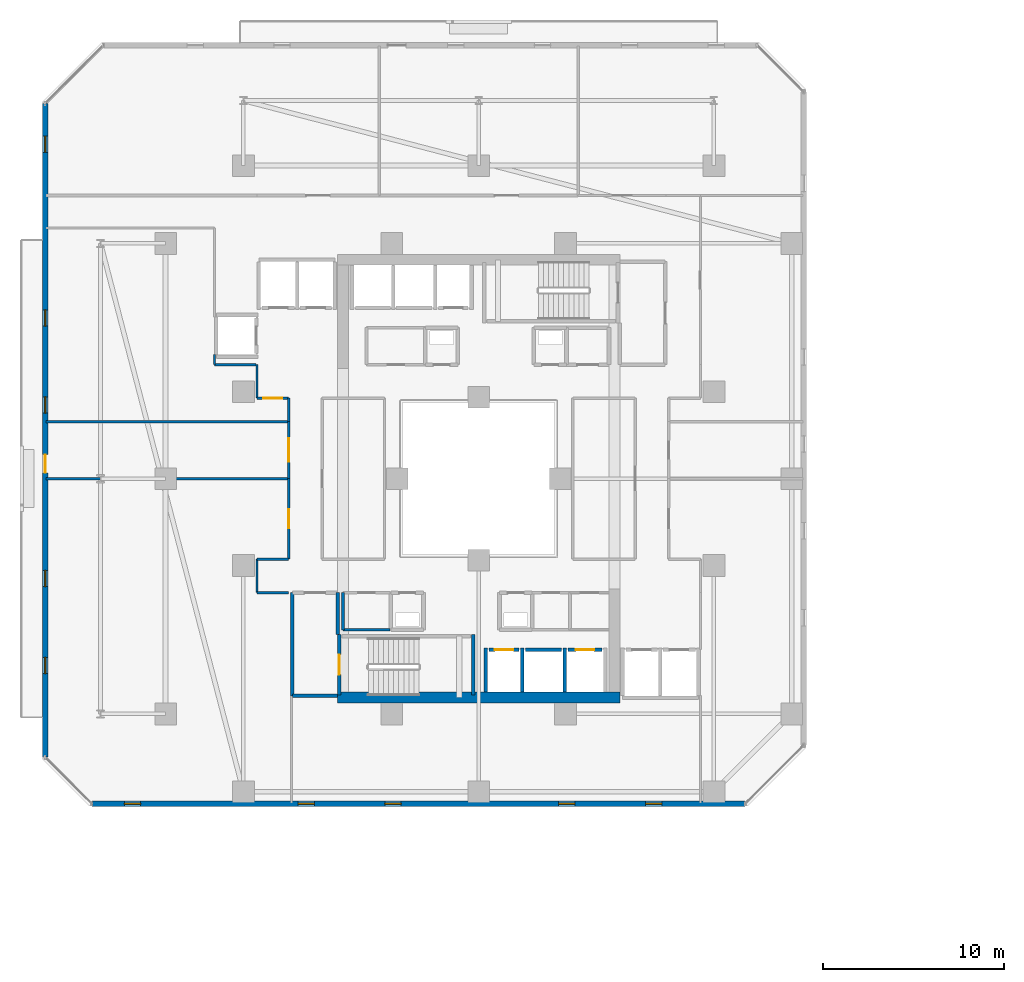
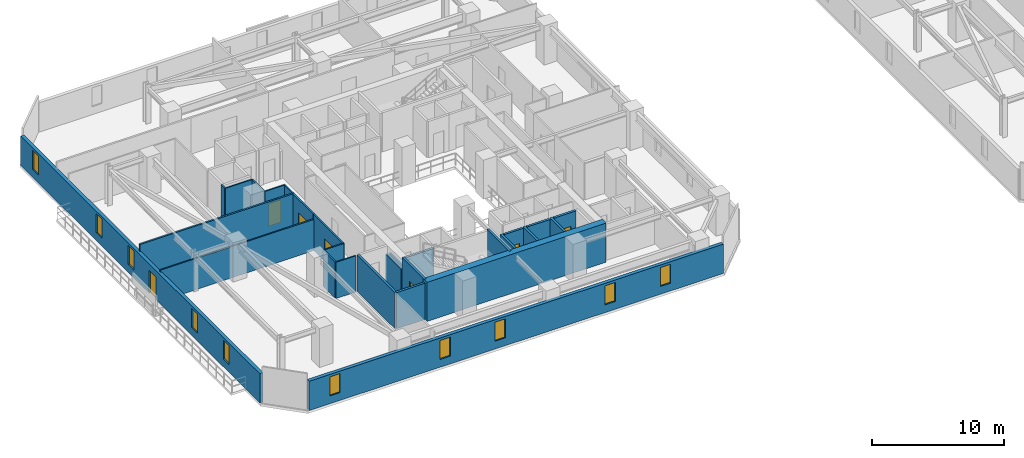
# One storey, part 19 of 33: 28 walls, 10 windows, 7 doors, 17 openings.
"""IFC4 building model written with IfcOpenShell, lengths in metres."""

import ifcopenshell
import ifcopenshell.guid

model = None  # the IFC model being written
_history = None  # IfcOwnerHistory: only IFC2X3 demands one
_inside = {}  # id of a spatial element -> (the spatial element, [elements in it])
_under = {}  # id of a project, library or spatial element -> (it, [spatial elements below it])
_declared = {}  # id of a project -> (the project, [libraries it declares])
_typed = {}  # id of a type object -> (the type object, [elements of that type])
_made_of = {}  # id of a material, layer set ... -> (it, [elements and type objects made of it])


def new_model(schema):
    """Start an empty IFC model of exactly this schema.

    Asked for "IFC4X3", IfcOpenShell would pick the latest addendum, in which some entities
    have other attributes; the version numbers below select the first issue.
    IFC2X3 requires an IfcOwnerHistory on every rooted entity: one is made here for all.
    """
    global model, _history
    if schema == "IFC4X3":
        model = ifcopenshell.file(schema_version=(4, 3, 0, 0))
    else:
        model = ifcopenshell.file(schema=schema)
    _inside.clear()
    _under.clear()
    _declared.clear()
    _typed.clear()
    _made_of.clear()
    _history = None
    if model.schema == "IFC2X3":
        org = make("IfcOrganization", Name="unknown")
        user = make(
            "IfcPersonAndOrganization",
            ThePerson=make("IfcPerson", FamilyName="unknown"),
            TheOrganization=org,
        )
        app = make(
            "IfcApplication",
            ApplicationDeveloper=org,
            Version="unknown",
            ApplicationFullName="unknown",
            ApplicationIdentifier="unknown",
        )
        _history = make(
            "IfcOwnerHistory",
            OwningUser=user,
            OwningApplication=app,
            ChangeAction="ADDED",
            CreationDate=0,
        )
    return model


def make(cls, **values):
    """One entity of the class cls with the attributes given. An attribute that is None is left unset."""
    return model.create_entity(
        cls, **{name: value for name, value in values.items() if value is not None}
    )


def rooted(cls, **values):
    """An entity with a GlobalId (a new one), such as an element, a storey or a relation."""
    return make(cls, GlobalId=ifcopenshell.guid.new(), OwnerHistory=_history, **values)


def si_unit(unit_type, name, prefix=None):
    """IfcSIUnit, for example si_unit("LENGTHUNIT", "METRE", prefix="MILLI")."""
    return make("IfcSIUnit", UnitType=unit_type, Prefix=prefix, Name=name)


def assignment(units):
    """IfcUnitAssignment: the units of a project."""
    return None if units is None else make("IfcUnitAssignment", Units=units)


def point(xyz):
    """IfcCartesianPoint."""
    return None if xyz is None else make("IfcCartesianPoint", Coordinates=xyz)


def direction(xyz):
    """IfcDirection."""
    return None if xyz is None else make("IfcDirection", DirectionRatios=xyz)


def frame(location, z_axis=None, x_axis=None):
    """IfcAxis2Placement3D, a coordinate frame: its origin and axes. An axis left out is left unset."""
    return make(
        "IfcAxis2Placement3D",
        Location=point(location),
        Axis=direction(z_axis),
        RefDirection=direction(x_axis),
    )


def frame_2d(location, x_axis=None):
    """IfcAxis2Placement2D, a coordinate frame in the plane: its origin and x axis."""
    return make(
        "IfcAxis2Placement2D", Location=point(location), RefDirection=direction(x_axis)
    )


def origin():
    """The frame at (0, 0, 0) with its axes left unset."""
    return frame((0.0, 0.0, 0.0))


def place(relative_to, where):
    """IfcLocalPlacement: puts the frame where relative to a parent placement (None: the world)."""
    return make(
        "IfcLocalPlacement", PlacementRelTo=relative_to, RelativePlacement=where
    )


def context(
    kind, dimensions, precision=None, world=None, true_north=None, identifier=None
):
    """IfcGeometricRepresentationContext, for example the 3D "Model" context."""
    return make(
        "IfcGeometricRepresentationContext",
        ContextIdentifier=identifier,
        ContextType=kind,
        CoordinateSpaceDimension=dimensions,
        Precision=precision,
        WorldCoordinateSystem=world,
        TrueNorth=true_north,
    )


def subcontext(parent, identifier, kind, view, scale=None):
    """IfcGeometricRepresentationSubContext, for example "Body" below "Model"."""
    return make(
        "IfcGeometricRepresentationSubContext",
        ContextIdentifier=identifier,
        ContextType=kind,
        ParentContext=parent,
        TargetScale=scale,
        TargetView=view,
    )


def project(units=None, contexts=None):
    """IfcProject with its units and contexts."""
    return rooted(
        "IfcProject",
        Name="project",
        RepresentationContexts=contexts,
        UnitsInContext=assignment(units),
    )


def spatial(cls, under=None, at=None, **own):
    """A site, building, storey or space (cls), placed at a placement, below another one or the project."""
    s = rooted(cls, ObjectPlacement=at, **own)
    if under is not None:
        _under.setdefault(under.id(), (under, []))[1].append(s)
    return s


def profile(cls, at=None, kind="AREA", **sizes):
    """A parametric profile (cls). Its sizes go by their IFC names, for example OverallWidth=200.0."""
    return make(cls, ProfileType=kind, Position=at, **sizes)


def rectangle(**sizes):
    """IfcRectangleProfileDef."""
    return profile("IfcRectangleProfileDef", **sizes)


def extrude(swept, where, along, depth):
    """IfcExtrudedAreaSolid: the profile swept, set in the frame where, extruded along a direction by depth."""
    return make(
        "IfcExtrudedAreaSolid",
        SweptArea=swept,
        Position=where,
        ExtrudedDirection=direction(along),
        Depth=depth,
    )


def shape(context_of_items, identifier, shape_type, items):
    """IfcShapeRepresentation: the items that make up one representation, for example the "Body"."""
    return make(
        "IfcShapeRepresentation",
        ContextOfItems=context_of_items,
        RepresentationIdentifier=identifier,
        RepresentationType=shape_type,
        Items=items,
    )


def material(Name=None, Category=None):
    """IfcMaterial."""
    return make("IfcMaterial", Name=Name, Category=Category)


def layer(
    of_material, thickness, ventilated=None, Name=None, Category=None, Priority=None
):
    """IfcMaterialLayer: one layer of a wall or slab, of a material (None: an air gap)."""
    return make(
        "IfcMaterialLayer",
        Material=of_material,
        LayerThickness=thickness,
        IsVentilated=ventilated,
        Name=Name,
        Category=Category,
        Priority=Priority,
    )


def layer_set(layers, Name=None):
    """IfcMaterialLayerSet."""
    return make("IfcMaterialLayerSet", MaterialLayers=layers, LayerSetName=Name)


def made_of(thing, what):
    """Note that an element or type object is made of a material, layer set ...; save() writes the relation."""
    if what is not None:
        _made_of.setdefault(what.id(), (what, []))[1].append(thing)
    return thing


def type_object(cls, material=None, **own):
    """A type object (cls), such as IfcWallType, which elements share."""
    return made_of(rooted(cls, **own), material)


def element(
    cls,
    number,
    at=None,
    inside=None,
    cuts=None,
    type_object=None,
    material=None,
    context=None,
    identifier="Body",
    shape_type=None,
    held_by="IfcProductDefinitionShape",
    body=None,
    shapes=None,
    **own,
):
    """One element of the class cls, such as IfcWall. Its Tag is "e" and its number.

    at: its placement. inside: the storey or other place that contains it. cuts: it is an
    opening in that element (IfcRelVoidsElement). A single representation is given by context,
    identifier, shape_type and body (its items); several are given by shapes. held_by: the class
    of the entity that holds the representations. save() writes the other relations.
    """
    e = rooted(cls, Tag="e%d" % number, ObjectPlacement=at, **own)
    if body is not None:
        shapes = [shape(context, identifier, shape_type, body)]
    if shapes is not None:
        e.Representation = make(held_by, Representations=shapes)
    if inside is not None:
        _inside.setdefault(inside.id(), (inside, []))[1].append(e)
    if cuts is not None:
        rooted(
            "IfcRelVoidsElement", RelatingBuildingElement=cuts, RelatedOpeningElement=e
        )
    if type_object is not None:
        _typed.setdefault(type_object.id(), (type_object, []))[1].append(e)
    return made_of(e, material)


def fill(opening, filler):
    """IfcRelFillsElement: the door or window that sits in an opening."""
    return rooted(
        "IfcRelFillsElement",
        RelatingOpeningElement=opening,
        RelatedBuildingElement=filler,
    )


def aggregate(whole, parts):
    """IfcRelAggregates: a whole, such as a stair, and the parts it consists of."""
    return rooted("IfcRelAggregates", RelatingObject=whole, RelatedObjects=parts)


def save(model, path):
    """Write the relations noted so far, then the file.

    IfcRelAggregates (storeys below a building ...), IfcRelContainedInSpatialStructure (elements
    in a storey), IfcRelDefinesByType, IfcRelAssociatesMaterial and IfcRelDeclares: one each for
    every whole, place, type object, material and project.
    """
    for whole, parts in _under.values():
        aggregate(whole, parts)
    for where, things in _inside.values():
        rooted(
            "IfcRelContainedInSpatialStructure",
            RelatedElements=things,
            RelatingStructure=where,
        )
    for kind, things in _typed.values():
        rooted("IfcRelDefinesByType", RelatedObjects=things, RelatingType=kind)
    for what, things in _made_of.values():
        rooted("IfcRelAssociatesMaterial", RelatedObjects=things, RelatingMaterial=what)
    for by, libraries in _declared.values():
        rooted("IfcRelDeclares", RelatingContext=by, RelatedDefinitions=libraries)
    model.write(path)


model = new_model("IFC4")

# Units and contexts
model_context = context("Model", 3, precision=1e-05, world=origin(), true_north=direction((0.0, 1.0)))
body_context = subcontext(model_context, "Body", "Model", "MODEL_VIEW")
ifc_project = project(units=[si_unit("LENGTHUNIT", "METRE"), si_unit("AREAUNIT", "SQUARE_METRE"), si_unit("VOLUMEUNIT", "CUBIC_METRE"), si_unit("PLANEANGLEUNIT", "RADIAN"), si_unit("MASSUNIT", "GRAM", prefix="KILO")], contexts=[model_context])

# Site, building, storey
site_placement = place(None, origin())
site = spatial("IfcSite", under=ifc_project, at=site_placement, CompositionType="ELEMENT")
building_placement = place(site_placement, origin())
building = spatial("IfcBuilding", under=site, at=building_placement, Name="Thornwick Lancets Civic Towers", CompositionType="ELEMENT")
storey_placement = place(building_placement, frame((0.0, 0.0, 108.89990234375)))
storey = spatial("IfcBuildingStorey", under=building, at=storey_placement, Name="L28", CompositionType="ELEMENT", Elevation=108.89990234375)

# Wall, opening, door
ifc_material_1 = material(Name="Concrete blockwork C40/50", Category="masonry")
ifc_layer_1 = layer(ifc_material_1, 0.199951171875, Name="Concrete blockwork C40/50")
ifc_layer_set_1 = layer_set([ifc_layer_1], Name="Concrete blockwork C40/50")
wall_type_1 = type_object("IfcWallType", Name="WALL_COMP_200", PredefinedType="STANDARD", material=ifc_layer_set_1)
wall_1_placement = place(storey_placement, frame((26.080078125, 17.550048828125, 0.0), z_axis=(0.0, 0.0, 1.0), x_axis=(1.0, 0.0, 0.0)))
wall_1 = element("IfcWall", 1, at=wall_1_placement, inside=storey, type_object=wall_type_1, Name="L28 Hoistway Front Wall FL-A1", PredefinedType="STANDARD", context=body_context, shape_type="SweptSolid", body=[
    extrude(rectangle(XDim=1.639892578125, YDim=0.199951171875, at=frame_2d((0.81982421875, 0.0))), origin(), (0.0, 0.0, 1.0), 3.340087890625),
])
opening_1_placement = place(wall_1_placement, frame((0.31005859375, 0.0, 0.0)))
opening_1 = element("IfcOpeningElement", 2, at=opening_1_placement, cuts=wall_1, Name="Opening LD-FL-A1", PredefinedType="OPENING", context=body_context, shape_type="SweptSolid", body=[
    extrude(rectangle(XDim=1.02001953125, YDim=2.06005859375, at=frame_2d((0.510009765625, 1.030029296875))), frame((0.0, 0.10986328125, 0.0), z_axis=(0.0, -1.0, 0.0), x_axis=(1.0, 0.0, 0.0)), (0.0, 0.0, 1.0), 0.219970703125),
])
ifc_material_2 = material(Name="Brushed bronze stainless steel", Category="steel")
door_type_1 = type_object("IfcDoorType", Name="DOOR_LIFT_SLIDE", OperationType="SLIDING_TO_LEFT", PredefinedType="DOOR", material=ifc_material_2)
door_1_placement = place(opening_1_placement, origin())
door_1 = element("IfcDoor", 3, at=door_1_placement, inside=storey, type_object=door_type_1, Name="L28 Sliding Lift Landing Door LD-FL-A1", OperationType="SLIDING_TO_LEFT", OverallHeight=2.06005859375, OverallWidth=1.02001953125, PredefinedType="DOOR", context=body_context, shape_type="SweptSolid", body=[
    extrude(rectangle(XDim=1.02001953125, YDim=2.06005859375, at=frame_2d((0.510009765625, 1.030029296875))), frame((0.0, 0.02490234375, 0.0), z_axis=(0.0, -1.0, 0.0), x_axis=(1.0, 0.0, 0.0)), (0.0, 0.0, 1.0), 0.050048828125),
])
fill(opening_1, door_1)

# Wall
wall_2_placement = place(storey_placement, frame((28.080078125, 17.550048828125, 0.0), z_axis=(0.0, 0.0, 1.0), x_axis=(1.0, 0.0, 0.0)))
element("IfcWall", 4, at=wall_2_placement, inside=storey, type_object=wall_type_1, Name="L28 Hoistway Front Wall PL-AH1", PredefinedType="STANDARD", context=body_context, shape_type="SweptSolid", body=[
    extrude(rectangle(XDim=1.989990234375, YDim=0.199951171875, at=frame_2d((0.9951171875, 0.0))), origin(), (0.0, 0.0, 1.0), 3.340087890625),
])

# Wall, opening, door
wall_3_placement = place(storey_placement, frame((30.429931640625, 17.550048828125, 0.0), z_axis=(0.0, 0.0, 1.0), x_axis=(1.0, 0.0, 0.0)))
wall_3 = element("IfcWall", 5, at=wall_3_placement, inside=storey, type_object=wall_type_1, Name="L28 Hoistway Front Wall PL-AL1", PredefinedType="STANDARD", context=body_context, shape_type="SweptSolid", body=[
    extrude(rectangle(XDim=1.89013671875, YDim=0.199951171875, at=frame_2d((0.945068359375, 0.0))), origin(), (0.0, 0.0, 1.0), 3.340087890625),
])
opening_2_placement = place(wall_3_placement, frame((0.43505859375, 0.0, 0.0)))
opening_2 = element("IfcOpeningElement", 6, at=opening_2_placement, cuts=wall_3, Name="Opening LD-PL-AL1", PredefinedType="OPENING", context=body_context, shape_type="SweptSolid", body=[
    extrude(rectangle(XDim=1.02001953125, YDim=2.06005859375, at=frame_2d((0.510009765625, 1.030029296875))), frame((0.0, 0.10986328125, 0.0), z_axis=(0.0, -1.0, 0.0), x_axis=(1.0, 0.0, 0.0)), (0.0, 0.0, 1.0), 0.219970703125),
])
door_2_placement = place(opening_2_placement, origin())
door_2 = element("IfcDoor", 7, at=door_2_placement, inside=storey, type_object=door_type_1, Name="L28 Sliding Lift Landing Door LD-PL-AL1", OperationType="SLIDING_TO_LEFT", OverallHeight=2.06005859375, OverallWidth=1.02001953125, PredefinedType="DOOR", context=body_context, shape_type="SweptSolid", body=[
    extrude(rectangle(XDim=1.02001953125, YDim=2.06005859375, at=frame_2d((0.510009765625, 1.030029296875))), frame((0.0, 0.02490234375, 0.0), z_axis=(0.0, -1.0, 0.0), x_axis=(1.0, 0.0, 0.0)), (0.0, 0.0, 1.0), 0.050048828125),
])
fill(opening_2, door_2)

# Walls
for number, where, z_axis, x_axis, name in (
    (8, (27.89990234375, 15.2119140625, 0.0), (0.0, 0.0, 1.0), (0.0, 1.0, 0.0), "L28 Hoistway Shaft Wall FL-A1 E"),
    (9, (25.89990234375, 15.2119140625, 0.0), (0.0, 0.0, 1.0), (0.0, 1.0, 0.0), "L28 Hoistway Shaft Wall FL-A1 W"),
    (10, (30.25, 15.2119140625, 0.0), (0.0, 0.0, 1.0), (0.0, 1.0, 0.0), "L28 Hoistway Shaft Wall PL-AH1 E"),
):
    element("IfcWall", number, at=place(storey_placement, frame(where, z_axis=z_axis, x_axis=x_axis)), inside=storey, type_object=wall_type_1, Name=name, PredefinedType="STANDARD", context=body_context, shape_type="SweptSolid", body=[
        extrude(rectangle(XDim=2.43603515625, YDim=0.199951171875, at=frame_2d((1.218017578125, 0.0))), origin(), (0.0, 0.0, 1.0), 3.340087890625),
    ])
wall_4_placement = place(storey_placement, frame((15.199951171875, 15.0, 0.0), z_axis=(0.0, 0.0, 1.0), x_axis=(1.0, 0.0, 0.0)))
element("IfcWall", 11, at=wall_4_placement, inside=storey, type_object=wall_type_1, Name="L28 Partition L28-A-FFLOB1 E1", PredefinedType="STANDARD", context=body_context, shape_type="SweptSolid", body=[
    extrude(rectangle(XDim=2.5, YDim=0.199951171875, at=frame_2d((1.25, 0.0))), origin(), (0.0, 0.0, 1.0), 3.340087890625),
])
wall_5_placement = place(storey_placement, frame((17.699951171875, 18.39990234375, 0.0), z_axis=(0.0, 0.0, 1.0), x_axis=(0.0, 1.0, 0.0)))
element("IfcWall", 12, at=wall_5_placement, inside=storey, type_object=wall_type_1, Name="L28 Partition L28-A-FFLOB1 E2", PredefinedType="STANDARD", context=body_context, shape_type="SweptSolid", body=[
    extrude(rectangle(XDim=2.300048828125, YDim=0.199951171875, at=frame_2d((1.14990234375, 0.0))), origin(), (0.0, 0.0, 1.0), 2.545166015625),
])
wall_6_placement = place(storey_placement, frame((15.199951171875, 20.699951171875, 0.0), z_axis=(0.0, 0.0, 1.0), x_axis=(0.0, -1.0, 0.0)))
element("IfcWall", 13, at=wall_6_placement, inside=storey, type_object=wall_type_1, Name="L28 Partition L28-A-FFLOB1 E4", PredefinedType="STANDARD", context=body_context, shape_type="SweptSolid", body=[
    extrude(rectangle(XDim=5.699951171875, YDim=0.199951171875, at=frame_2d((2.85009765625, 0.0))), origin(), (0.0, 0.0, 1.0), 3.340087890625),
])
ifc_material_3 = material(Name="Concrete C60/75", Category="concrete")
ifc_layer_2 = layer(ifc_material_3, 0.60009765625, Name="Concrete C60/75")
ifc_layer_set_2 = layer_set([ifc_layer_2], Name="Concrete C60/75")
wall_type_2 = type_object("IfcWallType", Name="WALL_CORE_600", PredefinedType="SHEAR", material=ifc_layer_set_2)
wall_7_placement = place(storey_placement, frame((17.699951171875, 14.89990234375, 0.0), z_axis=(0.0, 0.0, 1.0), x_axis=(1.0, 0.0, 0.0)))
element("IfcWall", 14, at=wall_7_placement, inside=storey, type_object=wall_type_2, Name="L28 Split Core A1 Shear Wall S", PredefinedType="SHEAR", context=body_context, shape_type="SweptSolid", body=[
    extrude(rectangle(XDim=15.60009765625, YDim=0.60009765625, at=frame_2d((7.800048828125, 0.0))), origin(), (0.0, 0.0, 1.0), 3.60009765625),
])

# Wall, openings, windows
ifc_material_4 = material(Name="Insulated russet terracotta rainscreen on concrete C40/50", Category="masonry")
ifc_layer_3 = layer(ifc_material_4, 0.300048828125, Name="Insulated russet terracotta rainscreen on concrete C40/50")
ifc_layer_set_3 = layer_set([ifc_layer_3], Name="Insulated russet terracotta rainscreen on concrete C40/50")
wall_type_3 = type_object("IfcWallType", Name="WALL_EXT_RUSSET_300", PredefinedType="STANDARD", material=ifc_layer_set_3)
wall_8_placement = place(storey_placement, frame((4.11865234375, 9.035400390625, 0.0), z_axis=(0.0, 0.0, 1.0), x_axis=(0.999999998537, 5.4088042e-05, 0.0)))
wall_8 = element("IfcWall", 15, at=wall_8_placement, inside=storey, type_object=wall_type_3, Name="L28 Tower A Terracotta Facade Wall E0", PredefinedType="STANDARD", context=body_context, shape_type="SweptSolid", body=[
    extrude(rectangle(XDim=36.110107421875, YDim=0.300048828125, at=frame_2d((18.05517578125, 0.0))), origin(), (0.0, 0.0, 1.0), 2.7001953125),
])
opening_3_placement = place(wall_8_placement, frame((1.800048828125, 0.0, 0.719970703125)))
opening_3 = element("IfcOpeningElement", 16, at=opening_3_placement, cuts=wall_8, Name="Opening WL-01", PredefinedType="OPENING", context=body_context, shape_type="SweptSolid", body=[
    extrude(rectangle(XDim=0.89990234375, YDim=1.75, at=frame_2d((0.449951171875, 0.875))), frame((0.0, 0.16015625, 0.0), z_axis=(0.0, -1.0, 0.0), x_axis=(1.0, 0.0, 0.0)), (0.0, 0.0, 1.0), 0.320068359375),
])
opening_4_placement = place(wall_8_placement, frame((11.39990234375, 0.0, 0.719970703125)))
opening_4 = element("IfcOpeningElement", 17, at=opening_4_placement, cuts=wall_8, Name="Opening WL-01", PredefinedType="OPENING", context=body_context, shape_type="SweptSolid", body=[
    extrude(rectangle(XDim=0.89990234375, YDim=1.75, at=frame_2d((0.449951171875, 0.875))), frame((0.0, 0.16015625, 0.0), z_axis=(0.0, -1.0, 0.0), x_axis=(1.0, 0.0, 0.0)), (0.0, 0.0, 1.0), 0.320068359375),
])
opening_5_placement = place(wall_8_placement, frame((16.199951171875, 0.0, 0.719970703125)))
opening_5 = element("IfcOpeningElement", 18, at=opening_5_placement, cuts=wall_8, Name="Opening WL-01", PredefinedType="OPENING", context=body_context, shape_type="SweptSolid", body=[
    extrude(rectangle(XDim=0.89990234375, YDim=1.75, at=frame_2d((0.449951171875, 0.875))), frame((0.0, 0.16015625, 0.0), z_axis=(0.0, -1.0, 0.0), x_axis=(1.0, 0.0, 0.0)), (0.0, 0.0, 1.0), 0.320068359375),
])
opening_6_placement = place(wall_8_placement, frame((25.800048828125, 0.0, 0.719970703125)))
opening_6 = element("IfcOpeningElement", 19, at=opening_6_placement, cuts=wall_8, Name="Opening WL-01", PredefinedType="OPENING", context=body_context, shape_type="SweptSolid", body=[
    extrude(rectangle(XDim=0.89990234375, YDim=1.75, at=frame_2d((0.449951171875, 0.875))), frame((0.0, 0.16015625, 0.0), z_axis=(0.0, -1.0, 0.0), x_axis=(1.0, 0.0, 0.0)), (0.0, 0.0, 1.0), 0.320068359375),
])
opening_7_placement = place(wall_8_placement, frame((30.60009765625, 0.0, 0.719970703125)))
opening_7 = element("IfcOpeningElement", 20, at=opening_7_placement, cuts=wall_8, Name="Opening WL-01", PredefinedType="OPENING", context=body_context, shape_type="SweptSolid", body=[
    extrude(rectangle(XDim=0.89990234375, YDim=1.75, at=frame_2d((0.449951171875, 0.875))), frame((0.0, 0.16015625, 0.0), z_axis=(0.0, -1.0, 0.0), x_axis=(1.0, 0.0, 0.0)), (0.0, 0.0, 1.0), 0.320068359375),
])
ifc_material_5 = material(Name="Clear low-e double glazing in bronze frame", Category="glass")
window_type = type_object("IfcWindowType", Name="WIN_LANCET_900", PartitioningType="SINGLE_PANEL", PredefinedType="WINDOW", material=ifc_material_5)
window_1_placement = place(opening_3_placement, origin())
window_1 = element("IfcWindow", 21, at=window_1_placement, inside=storey, type_object=window_type, Name="L28 Tower A Staggered Lancet Window E0-1", OverallHeight=1.75, OverallWidth=0.89990234375, PartitioningType="SINGLE_PANEL", PredefinedType="WINDOW", context=body_context, shape_type="SweptSolid", body=[
    extrude(rectangle(XDim=0.89990234375, YDim=1.75, at=frame_2d((0.449951171875, 0.875))), frame((0.0, 0.030029296875, 0.0), z_axis=(0.0, -1.0, 0.0), x_axis=(1.0, 0.0, 0.0)), (0.0, 0.0, 1.0), 0.06005859375),
])
fill(opening_3, window_1)
window_2_placement = place(opening_4_placement, origin())
window_2 = element("IfcWindow", 22, at=window_2_placement, inside=storey, type_object=window_type, Name="L28 Tower A Staggered Lancet Window E0-2", OverallHeight=1.75, OverallWidth=0.89990234375, PartitioningType="SINGLE_PANEL", PredefinedType="WINDOW", context=body_context, shape_type="SweptSolid", body=[
    extrude(rectangle(XDim=0.89990234375, YDim=1.75, at=frame_2d((0.449951171875, 0.875))), frame((0.0, 0.030029296875, 0.0), z_axis=(0.0, -1.0, 0.0), x_axis=(1.0, 0.0, 0.0)), (0.0, 0.0, 1.0), 0.06005859375),
])
fill(opening_4, window_2)
window_3_placement = place(opening_5_placement, origin())
window_3 = element("IfcWindow", 23, at=window_3_placement, inside=storey, type_object=window_type, Name="L28 Tower A Staggered Lancet Window E0-3", OverallHeight=1.75, OverallWidth=0.89990234375, PartitioningType="SINGLE_PANEL", PredefinedType="WINDOW", context=body_context, shape_type="SweptSolid", body=[
    extrude(rectangle(XDim=0.89990234375, YDim=1.75, at=frame_2d((0.449951171875, 0.875))), frame((0.0, 0.030029296875, 0.0), z_axis=(0.0, -1.0, 0.0), x_axis=(1.0, 0.0, 0.0)), (0.0, 0.0, 1.0), 0.06005859375),
])
fill(opening_5, window_3)
window_4_placement = place(opening_6_placement, origin())
window_4 = element("IfcWindow", 24, at=window_4_placement, inside=storey, type_object=window_type, Name="L28 Tower A Staggered Lancet Window E0-4", OverallHeight=1.75, OverallWidth=0.89990234375, PartitioningType="SINGLE_PANEL", PredefinedType="WINDOW", context=body_context, shape_type="SweptSolid", body=[
    extrude(rectangle(XDim=0.89990234375, YDim=1.75, at=frame_2d((0.449951171875, 0.875))), frame((0.0, 0.030029296875, 0.0), z_axis=(0.0, -1.0, 0.0), x_axis=(1.0, 0.0, 0.0)), (0.0, 0.0, 1.0), 0.06005859375),
])
fill(opening_6, window_4)
window_5_placement = place(opening_7_placement, origin())
window_5 = element("IfcWindow", 25, at=window_5_placement, inside=storey, type_object=window_type, Name="L28 Tower A Staggered Lancet Window E0-5", OverallHeight=1.75, OverallWidth=0.89990234375, PartitioningType="SINGLE_PANEL", PredefinedType="WINDOW", context=body_context, shape_type="SweptSolid", body=[
    extrude(rectangle(XDim=0.89990234375, YDim=1.75, at=frame_2d((0.449951171875, 0.875))), frame((0.0, 0.030029296875, 0.0), z_axis=(0.0, -1.0, 0.0), x_axis=(1.0, 0.0, 0.0)), (0.0, 0.0, 1.0), 0.06005859375),
])
fill(opening_7, window_5)

# Wall, openings, door, windows
wall_9_placement = place(storey_placement, frame((1.537353515625, 47.728759765625, 0.0), z_axis=(0.0, 0.0, 1.0), x_axis=(-5.4088042e-05, -0.999999998537, 0.0)))
wall_9 = element("IfcWall", 26, at=wall_9_placement, inside=storey, type_object=wall_type_3, Name="L28 Tower A Terracotta Facade Wall E6", PredefinedType="STANDARD", context=body_context, shape_type="SweptSolid", body=[
    extrude(rectangle(XDim=36.110107421875, YDim=0.300048828125, at=frame_2d((18.05517578125, 0.0))), origin(), (0.0, 0.0, 1.0), 2.7001953125),
])
opening_8_placement = place(wall_9_placement, frame((19.405029296875, 0.0, 0.0)))
opening_8 = element("IfcOpeningElement", 27, at=opening_8_placement, cuts=wall_9, Name="Opening D-BL-L28-AW", PredefinedType="OPENING", context=body_context, shape_type="SweptSolid", body=[
    extrude(rectangle(XDim=1.0, YDim=2.080078125, at=frame_2d((0.5, 1.0400390625))), frame((0.0, 0.16015625, 0.0), z_axis=(0.0, -1.0, 0.0), x_axis=(1.0, 0.0, 0.0)), (0.0, 0.0, 1.0), 0.320068359375),
])
opening_9_placement = place(wall_9_placement, frame((1.800048828125, 0.0, 0.719970703125)))
opening_9 = element("IfcOpeningElement", 28, at=opening_9_placement, cuts=wall_9, Name="Opening WL-01", PredefinedType="OPENING", context=body_context, shape_type="SweptSolid", body=[
    extrude(rectangle(XDim=0.89990234375, YDim=1.75, at=frame_2d((0.449951171875, 0.875))), frame((0.0, 0.16015625, 0.0), z_axis=(0.0, -1.0, 0.0), x_axis=(1.0, 0.0, 0.0)), (0.0, 0.0, 1.0), 0.320068359375),
])
opening_10_placement = place(wall_9_placement, frame((11.39990234375, 0.0, 0.719970703125)))
opening_10 = element("IfcOpeningElement", 29, at=opening_10_placement, cuts=wall_9, Name="Opening WL-01", PredefinedType="OPENING", context=body_context, shape_type="SweptSolid", body=[
    extrude(rectangle(XDim=0.89990234375, YDim=1.75, at=frame_2d((0.449951171875, 0.875))), frame((0.0, 0.16015625, 0.0), z_axis=(0.0, -1.0, 0.0), x_axis=(1.0, 0.0, 0.0)), (0.0, 0.0, 1.0), 0.320068359375),
])
opening_11_placement = place(wall_9_placement, frame((16.199951171875, 0.0, 0.719970703125)))
opening_11 = element("IfcOpeningElement", 30, at=opening_11_placement, cuts=wall_9, Name="Opening WL-01", PredefinedType="OPENING", context=body_context, shape_type="SweptSolid", body=[
    extrude(rectangle(XDim=0.89990234375, YDim=1.75, at=frame_2d((0.449951171875, 0.875))), frame((0.0, 0.16015625, 0.0), z_axis=(0.0, -1.0, 0.0), x_axis=(1.0, 0.0, 0.0)), (0.0, 0.0, 1.0), 0.320068359375),
])
opening_12_placement = place(wall_9_placement, frame((25.800048828125, 0.0, 0.719970703125)))
opening_12 = element("IfcOpeningElement", 31, at=opening_12_placement, cuts=wall_9, Name="Opening WL-01", PredefinedType="OPENING", context=body_context, shape_type="SweptSolid", body=[
    extrude(rectangle(XDim=0.89990234375, YDim=1.75, at=frame_2d((0.449951171875, 0.875))), frame((0.0, 0.16015625, 0.0), z_axis=(0.0, -1.0, 0.0), x_axis=(1.0, 0.0, 0.0)), (0.0, 0.0, 1.0), 0.320068359375),
])
opening_13_placement = place(wall_9_placement, frame((30.60009765625, 0.0, 0.719970703125)))
opening_13 = element("IfcOpeningElement", 32, at=opening_13_placement, cuts=wall_9, Name="Opening WL-01", PredefinedType="OPENING", context=body_context, shape_type="SweptSolid", body=[
    extrude(rectangle(XDim=0.89990234375, YDim=1.75, at=frame_2d((0.449951171875, 0.875))), frame((0.0, 0.16015625, 0.0), z_axis=(0.0, -1.0, 0.0), x_axis=(1.0, 0.0, 0.0)), (0.0, 0.0, 1.0), 0.320068359375),
])
ifc_material_6 = material(Name="Thermally broken glazed loggia doorset")
door_type_2 = type_object("IfcDoorType", Name="DOOR_BALC_1000", OperationType="NOTDEFINED", PredefinedType="DOOR", material=ifc_material_6)
door_3_placement = place(opening_8_placement, origin())
door_3 = element("IfcDoor", 33, at=door_3_placement, inside=storey, type_object=door_type_2, Name="L28 Tower A Loggia Balcony Door W", OperationType="SINGLE_SWING_LEFT", OverallHeight=2.080078125, OverallWidth=1.0, PredefinedType="DOOR", context=body_context, shape_type="SweptSolid", body=[
    extrude(rectangle(XDim=1.0, YDim=2.080078125, at=frame_2d((0.5, 1.0400390625))), frame((0.0, 0.02490234375, 0.0), z_axis=(0.0, -1.0, 0.0), x_axis=(1.0, 0.0, 0.0)), (0.0, 0.0, 1.0), 0.050048828125),
])
fill(opening_8, door_3)
window_6_placement = place(opening_9_placement, origin())
window_6 = element("IfcWindow", 34, at=window_6_placement, inside=storey, type_object=window_type, Name="L28 Tower A Staggered Lancet Window E6-1", OverallHeight=1.75, OverallWidth=0.89990234375, PartitioningType="SINGLE_PANEL", PredefinedType="WINDOW", context=body_context, shape_type="SweptSolid", body=[
    extrude(rectangle(XDim=0.89990234375, YDim=1.75, at=frame_2d((0.449951171875, 0.875))), frame((0.0, 0.030029296875, 0.0), z_axis=(0.0, -1.0, 0.0), x_axis=(1.0, 0.0, 0.0)), (0.0, 0.0, 1.0), 0.06005859375),
])
fill(opening_9, window_6)
window_7_placement = place(opening_10_placement, origin())
window_7 = element("IfcWindow", 35, at=window_7_placement, inside=storey, type_object=window_type, Name="L28 Tower A Staggered Lancet Window E6-2", OverallHeight=1.75, OverallWidth=0.89990234375, PartitioningType="SINGLE_PANEL", PredefinedType="WINDOW", context=body_context, shape_type="SweptSolid", body=[
    extrude(rectangle(XDim=0.89990234375, YDim=1.75, at=frame_2d((0.449951171875, 0.875))), frame((0.0, 0.030029296875, 0.0), z_axis=(0.0, -1.0, 0.0), x_axis=(1.0, 0.0, 0.0)), (0.0, 0.0, 1.0), 0.06005859375),
])
fill(opening_10, window_7)
window_8_placement = place(opening_11_placement, origin())
window_8 = element("IfcWindow", 36, at=window_8_placement, inside=storey, type_object=window_type, Name="L28 Tower A Staggered Lancet Window E6-3", OverallHeight=1.75, OverallWidth=0.89990234375, PartitioningType="SINGLE_PANEL", PredefinedType="WINDOW", context=body_context, shape_type="SweptSolid", body=[
    extrude(rectangle(XDim=0.89990234375, YDim=1.75, at=frame_2d((0.449951171875, 0.875))), frame((0.0, 0.030029296875, 0.0), z_axis=(0.0, -1.0, 0.0), x_axis=(1.0, 0.0, 0.0)), (0.0, 0.0, 1.0), 0.06005859375),
])
fill(opening_11, window_8)
window_9_placement = place(opening_12_placement, origin())
window_9 = element("IfcWindow", 37, at=window_9_placement, inside=storey, type_object=window_type, Name="L28 Tower A Staggered Lancet Window E6-4", OverallHeight=1.75, OverallWidth=0.89990234375, PartitioningType="SINGLE_PANEL", PredefinedType="WINDOW", context=body_context, shape_type="SweptSolid", body=[
    extrude(rectangle(XDim=0.89990234375, YDim=1.75, at=frame_2d((0.449951171875, 0.875))), frame((0.0, 0.030029296875, 0.0), z_axis=(0.0, -1.0, 0.0), x_axis=(1.0, 0.0, 0.0)), (0.0, 0.0, 1.0), 0.06005859375),
])
fill(opening_12, window_9)
window_10_placement = place(opening_13_placement, origin())
window_10 = element("IfcWindow", 38, at=window_10_placement, inside=storey, type_object=window_type, Name="L28 Tower A Staggered Lancet Window E6-5", OverallHeight=1.75, OverallWidth=0.89990234375, PartitioningType="SINGLE_PANEL", PredefinedType="WINDOW", context=body_context, shape_type="SweptSolid", body=[
    extrude(rectangle(XDim=0.89990234375, YDim=1.75, at=frame_2d((0.449951171875, 0.875))), frame((0.0, 0.030029296875, 0.0), z_axis=(0.0, -1.0, 0.0), x_axis=(1.0, 0.0, 0.0)), (0.0, 0.0, 1.0), 0.06005859375),
])
fill(opening_13, window_10)

# Wall
ifc_material_7 = material(Name="Acoustic gypsum board partition")
ifc_layer_4 = layer(ifc_material_7, 0.1201171875, Name="Acoustic gypsum board partition")
ifc_layer_set_4 = layer_set([ifc_layer_4], Name="Acoustic gypsum board partition")
wall_type_4 = type_object("IfcWallType", Name="WALL_PART_120", PredefinedType="PARTITIONING", material=ifc_layer_set_4)
wall_10_placement = place(storey_placement, frame((1.580078125, 27.0, 0.0), z_axis=(0.0, 0.0, 1.0), x_axis=(1.0, 0.0, 0.0)))
element("IfcWall", 39, at=wall_10_placement, inside=storey, type_object=wall_type_4, Name="L28 Partition L28-A-W1 E2", PredefinedType="PARTITIONING", context=body_context, shape_type="SweptSolid", body=[
    extrude(rectangle(XDim=13.419921875, YDim=0.1201171875, at=frame_2d((6.7099609375, 0.0))), origin(), (0.0, 0.0, 1.0), 2.881591796875),
])

# Wall, opening, door
wall_11_placement = place(storey_placement, frame((15.0, 27.0, 0.0), z_axis=(0.0, 0.0, 1.0), x_axis=(0.0, -1.0, 0.0)))
wall_11 = element("IfcWall", 40, at=wall_11_placement, inside=storey, type_object=wall_type_4, Name="L28 Partition L28-A-W1 E3", PredefinedType="PARTITIONING", context=body_context, shape_type="SweptSolid", body=[
    extrude(rectangle(XDim=4.449951171875, YDim=0.1201171875, at=frame_2d((2.22509765625, 0.0))), origin(), (0.0, 0.0, 1.0), 3.340087890625),
])
opening_14_placement = place(wall_11_placement, frame((1.699951171875, 0.0, 0.0)))
opening_14 = element("IfcOpeningElement", 41, at=opening_14_placement, cuts=wall_11, Name="Opening D-L28-1295", PredefinedType="OPENING", context=body_context, shape_type="SweptSolid", body=[
    extrude(rectangle(XDim=1.050048828125, YDim=2.10009765625, at=frame_2d((0.52490234375, 1.050048828125))), frame((0.0, 0.070068359375, 0.0), z_axis=(0.0, -1.0, 0.0), x_axis=(1.0, 0.0, 0.0)), (0.0, 0.0, 1.0), 0.14013671875),
])
ifc_material_8 = material(Name="Glazed European oak executive doorset")
door_type_3 = type_object("IfcDoorType", Name="DOOR_OFFICE_1050", OperationType="NOTDEFINED", PredefinedType="DOOR", material=ifc_material_8)
door_4_placement = place(opening_14_placement, origin())
door_4 = element("IfcDoor", 42, at=door_4_placement, inside=storey, type_object=door_type_3, Name="L28 Tower A Ministry Directorate Office W1 Door", OperationType="SINGLE_SWING_RIGHT", OverallHeight=2.10009765625, OverallWidth=1.050048828125, PredefinedType="DOOR", context=body_context, shape_type="SweptSolid", body=[
    extrude(rectangle(XDim=1.050048828125, YDim=2.10009765625, at=frame_2d((0.52490234375, 1.050048828125))), frame((0.0, 0.02490234375, 0.0), z_axis=(0.0, -1.0, 0.0), x_axis=(1.0, 0.0, 0.0)), (0.0, 0.0, 1.0), 0.050048828125),
])
fill(opening_14, door_4)

# Walls
wall_12_placement = place(storey_placement, frame((15.0, 22.550048828125, 0.0), z_axis=(0.0, 0.0, 1.0), x_axis=(-1.0, 0.0, 0.0)))
element("IfcWall", 43, at=wall_12_placement, inside=storey, type_object=wall_type_4, Name="L28 Partition L28-A-W1 E4", PredefinedType="PARTITIONING", context=body_context, shape_type="SweptSolid", body=[
    extrude(rectangle(XDim=1.75, YDim=0.1201171875, at=frame_2d((0.875, 0.0))), origin(), (0.0, 0.0, 1.0), 3.340087890625),
])
wall_13_placement = place(storey_placement, frame((13.25, 22.550048828125, 0.0), z_axis=(0.0, 0.0, 1.0), x_axis=(0.0, -1.0, 0.0)))
element("IfcWall", 44, at=wall_13_placement, inside=storey, type_object=wall_type_4, Name="L28 Partition L28-A-W1 E5", PredefinedType="PARTITIONING", context=body_context, shape_type="SweptSolid", body=[
    extrude(rectangle(XDim=1.85009765625, YDim=0.1201171875, at=frame_2d((0.925048828125, 0.0))), origin(), (0.0, 0.0, 1.0), 3.340087890625),
])
wall_14_placement = place(storey_placement, frame((13.25, 20.699951171875, 0.0), z_axis=(0.0, 0.0, 1.0), x_axis=(1.0, 0.0, 0.0)))
element("IfcWall", 45, at=wall_14_placement, inside=storey, type_object=wall_type_4, Name="L28 Partition L28-A-W1 E6", PredefinedType="PARTITIONING", context=body_context, shape_type="SweptSolid", body=[
    extrude(rectangle(XDim=1.75, YDim=0.1201171875, at=frame_2d((0.875, 0.0))), origin(), (0.0, 0.0, 1.0), 3.340087890625),
])
wall_15_placement = place(storey_placement, frame((10.89990234375, 33.862060546875, 0.0), z_axis=(0.0, 0.0, 1.0), x_axis=(0.0, -1.0, 0.0)))
element("IfcWall", 46, at=wall_15_placement, inside=storey, type_object=wall_type_4, Name="L28 Partition L28-A-W3 E1", PredefinedType="PARTITIONING", context=body_context, shape_type="SweptSolid", body=[
    extrude(rectangle(XDim=0.56201171875, YDim=0.1201171875, at=frame_2d((0.281005859375, 0.0))), origin(), (0.0, 0.0, 1.0), 3.340087890625),
])
wall_16_placement = place(storey_placement, frame((10.89990234375, 33.300048828125, 0.0), z_axis=(0.0, 0.0, 1.0), x_axis=(1.0, 0.0, 0.0)))
element("IfcWall", 47, at=wall_16_placement, inside=storey, type_object=wall_type_4, Name="L28 Partition L28-A-W3 E2", PredefinedType="PARTITIONING", context=body_context, shape_type="SweptSolid", body=[
    extrude(rectangle(XDim=2.300048828125, YDim=0.1201171875, at=frame_2d((1.14990234375, 0.0))), origin(), (0.0, 0.0, 1.0), 3.340087890625),
])
wall_17_placement = place(storey_placement, frame((13.25, 33.300048828125, 0.0), z_axis=(0.0, 0.0, 1.0), x_axis=(0.0, -1.0, 0.0)))
element("IfcWall", 48, at=wall_17_placement, inside=storey, type_object=wall_type_4, Name="L28 Partition L28-A-W3 E4", PredefinedType="PARTITIONING", context=body_context, shape_type="SweptSolid", body=[
    extrude(rectangle(XDim=1.85009765625, YDim=0.1201171875, at=frame_2d((0.925048828125, 0.0))), origin(), (0.0, 0.0, 1.0), 3.340087890625),
])

# Wall, opening, door
wall_18_placement = place(storey_placement, frame((13.25, 31.449951171875, 0.0), z_axis=(0.0, 0.0, 1.0), x_axis=(1.0, 0.0, 0.0)))
wall_18 = element("IfcWall", 49, at=wall_18_placement, inside=storey, type_object=wall_type_4, Name="L28 Partition L28-A-W3 E5", PredefinedType="PARTITIONING", context=body_context, shape_type="SweptSolid", body=[
    extrude(rectangle(XDim=1.75, YDim=0.1201171875, at=frame_2d((0.875, 0.0))), origin(), (0.0, 0.0, 1.0), 3.340087890625),
])
opening_15_placement = place(wall_18_placement, frame((0.35009765625, 0.0, 0.0)))
opening_15 = element("IfcOpeningElement", 50, at=opening_15_placement, cuts=wall_18, Name="Opening D-L28-1297", PredefinedType="OPENING", context=body_context, shape_type="SweptSolid", body=[
    extrude(rectangle(XDim=1.050048828125, YDim=2.10009765625, at=frame_2d((0.52490234375, 1.050048828125))), frame((0.0, 0.070068359375, 0.0), z_axis=(0.0, -1.0, 0.0), x_axis=(1.0, 0.0, 0.0)), (0.0, 0.0, 1.0), 0.14013671875),
])
door_5_placement = place(opening_15_placement, origin())
door_5 = element("IfcDoor", 51, at=door_5_placement, inside=storey, type_object=door_type_3, Name="L28 Tower A Staff Tea Pantry and Lounge Door", OperationType="SINGLE_SWING_RIGHT", OverallHeight=2.10009765625, OverallWidth=1.050048828125, PredefinedType="DOOR", context=body_context, shape_type="SweptSolid", body=[
    extrude(rectangle(XDim=1.050048828125, YDim=2.10009765625, at=frame_2d((0.52490234375, 1.050048828125))), frame((0.0, 0.02490234375, 0.0), z_axis=(0.0, -1.0, 0.0), x_axis=(1.0, 0.0, 0.0)), (0.0, 0.0, 1.0), 0.050048828125),
])
fill(opening_15, door_5)

# Walls
wall_19_placement = place(storey_placement, frame((15.0, 31.449951171875, 0.0), z_axis=(0.0, 0.0, 1.0), x_axis=(0.0, -1.0, 0.0)))
element("IfcWall", 52, at=wall_19_placement, inside=storey, type_object=wall_type_4, Name="L28 Partition L28-A-W3 E6", PredefinedType="PARTITIONING", context=body_context, shape_type="SweptSolid", body=[
    extrude(rectangle(XDim=1.300048828125, YDim=0.1201171875, at=frame_2d((0.64990234375, 0.0))), origin(), (0.0, 0.0, 1.0), 3.340087890625),
])
ifc_material_9 = material(Name="Twin-stud acoustic gypsum board")
ifc_layer_5 = layer(ifc_material_9, 0.14990234375, Name="Twin-stud acoustic gypsum board")
ifc_layer_set_5 = layer_set([ifc_layer_5], Name="Twin-stud acoustic gypsum board")
wall_type_5 = type_object("IfcWallType", Name="WALL_PART_150", PredefinedType="PARTITIONING", material=ifc_layer_set_5)
wall_20_placement = place(storey_placement, frame((18.0, 18.64990234375, 0.0), z_axis=(0.0, 0.0, 1.0), x_axis=(1.0, 0.0, 0.0)))
element("IfcWall", 53, at=wall_20_placement, inside=storey, type_object=wall_type_5, Name="L28 Partition L28-A-AWC E1", PredefinedType="PARTITIONING", context=body_context, shape_type="SweptSolid", body=[
    extrude(rectangle(XDim=2.60009765625, YDim=0.14990234375, at=frame_2d((1.300048828125, 0.0))), origin(), (0.0, 0.0, 1.0), 3.340087890625),
])
wall_21_placement = place(storey_placement, frame((18.0, 20.699951171875, 0.0), z_axis=(0.0, 0.0, 1.0), x_axis=(0.0, -1.0, 0.0)))
element("IfcWall", 54, at=wall_21_placement, inside=storey, type_object=wall_type_5, Name="L28 Partition L28-A-AWC E4", PredefinedType="PARTITIONING", context=body_context, shape_type="SweptSolid", body=[
    extrude(rectangle(XDim=2.050048828125, YDim=0.14990234375, at=frame_2d((1.02490234375, 0.0))), origin(), (0.0, 0.0, 1.0), 2.545166015625),
])
wall_22_placement = place(storey_placement, frame((1.580078125, 30.14990234375, 0.0), z_axis=(0.0, 0.0, 1.0), x_axis=(1.0, 0.0, 0.0)))
element("IfcWall", 55, at=wall_22_placement, inside=storey, type_object=wall_type_5, Name="L28 Partition L28-A-W2 E1", PredefinedType="PARTITIONING", context=body_context, shape_type="SweptSolid", body=[
    extrude(rectangle(XDim=13.419921875, YDim=0.14990234375, at=frame_2d((6.7099609375, 0.0))), origin(), (0.0, 0.0, 1.0), 3.340087890625),
])

# Wall, opening, door
wall_23_placement = place(storey_placement, frame((15.0, 30.14990234375, 0.0), z_axis=(0.0, 0.0, 1.0), x_axis=(0.0, -1.0, 0.0)))
wall_23 = element("IfcWall", 56, at=wall_23_placement, inside=storey, type_object=wall_type_5, Name="L28 Partition L28-A-W2 E2", PredefinedType="PARTITIONING", context=body_context, shape_type="SweptSolid", body=[
    extrude(rectangle(XDim=3.14990234375, YDim=0.14990234375, at=frame_2d((1.574951171875, 0.0))), origin(), (0.0, 0.0, 1.0), 3.340087890625),
])
opening_16_placement = place(wall_23_placement, frame((0.925048828125, 0.0, 0.0)))
opening_16 = element("IfcOpeningElement", 57, at=opening_16_placement, cuts=wall_23, Name="Opening D-L28-1296", PredefinedType="OPENING", context=body_context, shape_type="SweptSolid", body=[
    extrude(rectangle(XDim=1.300048828125, YDim=2.1201171875, at=frame_2d((0.64990234375, 1.06005859375))), frame((0.0, 0.0849609375, 0.0), z_axis=(0.0, -1.0, 0.0), x_axis=(1.0, 0.0, 0.0)), (0.0, 0.0, 1.0), 0.169921875),
])
ifc_material_10 = material(Name="Acoustic oak leaf-and-a-half doorset")
door_type_4 = type_object("IfcDoorType", Name="DOOR_MEET_1300", OperationType="DOUBLE_DOOR_SINGLE_SWING", PredefinedType="DOOR", material=ifc_material_10)
door_6_placement = place(opening_16_placement, origin())
door_6 = element("IfcDoor", 58, at=door_6_placement, inside=storey, type_object=door_type_4, Name="L28 Tower A Policy Briefing Room W2 Door", OperationType="DOUBLE_DOOR_SINGLE_SWING", OverallHeight=2.1201171875, OverallWidth=1.300048828125, PredefinedType="DOOR", context=body_context, shape_type="SweptSolid", body=[
    extrude(rectangle(XDim=1.300048828125, YDim=2.1201171875, at=frame_2d((0.64990234375, 1.06005859375))), frame((0.0, 0.02490234375, 0.0), z_axis=(0.0, -1.0, 0.0), x_axis=(1.0, 0.0, 0.0)), (0.0, 0.0, 1.0), 0.050048828125),
])
fill(opening_16, door_6)

ifc_material_11 = material(Name="Concrete C40/50", Category="concrete")
ifc_layer_6 = layer(ifc_material_11, 0.199951171875, Name="Concrete C40/50")
ifc_layer_set_6 = layer_set([ifc_layer_6], Name="Concrete C40/50")
wall_type_6 = type_object("IfcWallType", Name="WALL_SHAFT_200", PredefinedType="SHEAR", material=ifc_layer_set_6)
wall_24_placement = place(storey_placement, frame((17.800048828125, 15.050048828125, 0.0), z_axis=(0.0, 0.0, 1.0), x_axis=(0.0, 1.0, 0.0)))
wall_24 = element("IfcWall", 59, at=wall_24_placement, inside=storey, type_object=wall_type_6, Name="L28 ST-A1 Fire Stair Core Wall NEAR", PredefinedType="SHEAR", context=body_context, shape_type="SweptSolid", body=[
    extrude(rectangle(XDim=3.349853515625, YDim=0.199951171875, at=frame_2d((1.6748046875, 0.0))), origin(), (0.0, 0.0, 1.0), 3.60009765625),
])
opening_17_placement = place(wall_24_placement, frame((1.125, 0.0, 0.0)))
opening_17 = element("IfcOpeningElement", 60, at=opening_17_placement, cuts=wall_24, Name="Opening D-ST-A1-L28", PredefinedType="OPENING", context=body_context, shape_type="SweptSolid", body=[
    extrude(rectangle(XDim=1.10009765625, YDim=2.10009765625, at=frame_2d((0.550048828125, 1.050048828125))), frame((0.0, 0.10986328125, 0.0), z_axis=(0.0, -1.0, 0.0), x_axis=(1.0, 0.0, 0.0)), (0.0, 0.0, 1.0), 0.219970703125),
])
ifc_material_12 = material(Name="Fire-resisting steel and hardwood", Category="steel")
door_type_5 = type_object("IfcDoorType", Name="DOOR_STAIR_FD60", OperationType="NOTDEFINED", PredefinedType="DOOR", material=ifc_material_12)
door_7_placement = place(opening_17_placement, origin())
door_7 = element("IfcDoor", 61, at=door_7_placement, inside=storey, type_object=door_type_5, Name="L28 ST-A1 Exit Stair Door", OperationType="SINGLE_SWING_RIGHT", OverallHeight=2.10009765625, OverallWidth=1.10009765625, PredefinedType="DOOR", context=body_context, shape_type="SweptSolid", body=[
    extrude(rectangle(XDim=1.10009765625, YDim=2.10009765625, at=frame_2d((0.550048828125, 1.050048828125))), frame((0.0, 0.02490234375, 0.0), z_axis=(0.0, -1.0, 0.0), x_axis=(1.0, 0.0, 0.0)), (0.0, 0.0, 1.0), 0.050048828125),
])
fill(opening_17, door_7)

# Wall
wall_25_placement = place(storey_placement, frame((25.199951171875, 18.39990234375, 0.0), z_axis=(0.0, 0.0, 1.0), x_axis=(0.0, -1.0, 0.0)))
element("IfcWall", 62, at=wall_25_placement, inside=storey, type_object=wall_type_6, Name="L28 ST-A1 Fire Stair Core Wall FAR", PredefinedType="SHEAR", context=body_context, shape_type="SweptSolid", body=[
    extrude(rectangle(XDim=3.349853515625, YDim=0.199951171875, at=frame_2d((1.6748046875, 0.0))), origin(), (0.0, 0.0, 1.0), 3.60009765625),
])

save(model, "model.ifc")
